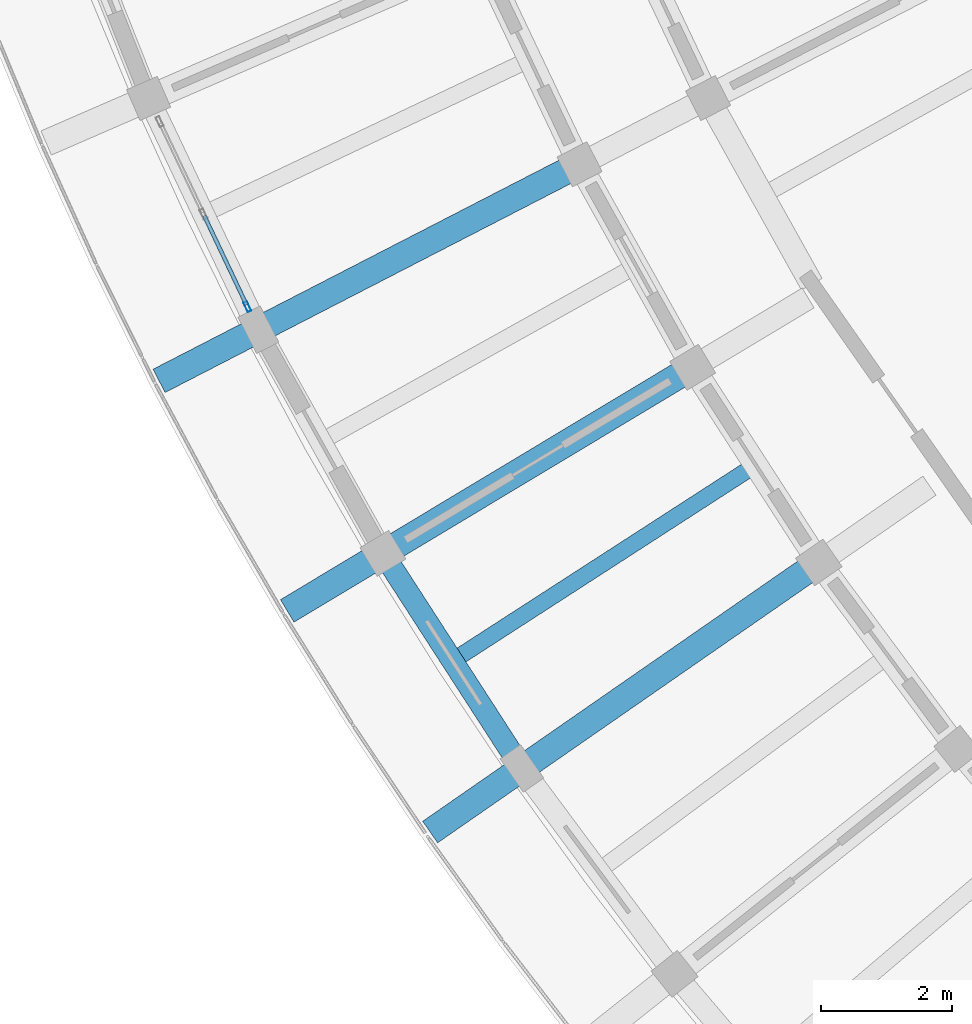
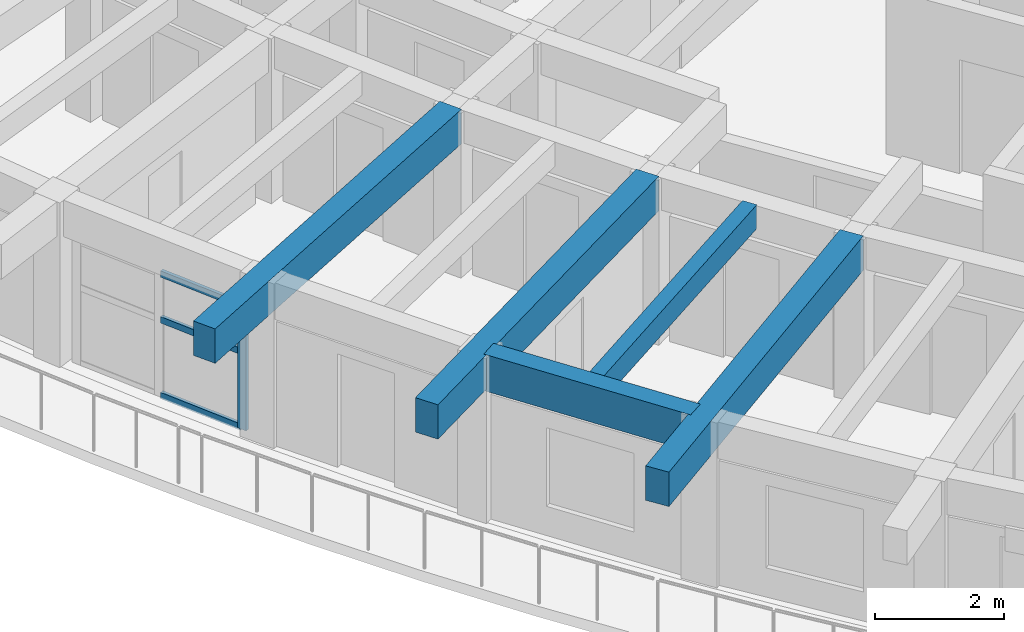
# One storey, part 4 of 83: 5 beams, 4 members, 1 element without a shape of its own.
"""IFC4 building model written with IfcOpenShell, lengths in metres."""

import ifcopenshell
import ifcopenshell.guid

model = None  # the IFC model being written
_history = None  # IfcOwnerHistory: only IFC2X3 demands one
_inside = {}  # id of a spatial element -> (the spatial element, [elements in it])
_under = {}  # id of a project, library or spatial element -> (it, [spatial elements below it])
_declared = {}  # id of a project -> (the project, [libraries it declares])
_typed = {}  # id of a type object -> (the type object, [elements of that type])
_made_of = {}  # id of a material, layer set ... -> (it, [elements and type objects made of it])


def new_model(schema):
    """Start an empty IFC model of exactly this schema.

    Asked for "IFC4X3", IfcOpenShell would pick the latest addendum, in which some entities
    have other attributes; the version numbers below select the first issue.
    IFC2X3 requires an IfcOwnerHistory on every rooted entity: one is made here for all.
    """
    global model, _history
    if schema == "IFC4X3":
        model = ifcopenshell.file(schema_version=(4, 3, 0, 0))
    else:
        model = ifcopenshell.file(schema=schema)
    _inside.clear()
    _under.clear()
    _declared.clear()
    _typed.clear()
    _made_of.clear()
    _history = None
    if model.schema == "IFC2X3":
        org = make("IfcOrganization", Name="unknown")
        user = make(
            "IfcPersonAndOrganization",
            ThePerson=make("IfcPerson", FamilyName="unknown"),
            TheOrganization=org,
        )
        app = make(
            "IfcApplication",
            ApplicationDeveloper=org,
            Version="unknown",
            ApplicationFullName="unknown",
            ApplicationIdentifier="unknown",
        )
        _history = make(
            "IfcOwnerHistory",
            OwningUser=user,
            OwningApplication=app,
            ChangeAction="ADDED",
            CreationDate=0,
        )
    return model


def make(cls, **values):
    """One entity of the class cls with the attributes given. An attribute that is None is left unset."""
    return model.create_entity(
        cls, **{name: value for name, value in values.items() if value is not None}
    )


def rooted(cls, **values):
    """An entity with a GlobalId (a new one), such as an element, a storey or a relation."""
    return make(cls, GlobalId=ifcopenshell.guid.new(), OwnerHistory=_history, **values)


def si_unit(unit_type, name, prefix=None):
    """IfcSIUnit, for example si_unit("LENGTHUNIT", "METRE", prefix="MILLI")."""
    return make("IfcSIUnit", UnitType=unit_type, Prefix=prefix, Name=name)


def assignment(units):
    """IfcUnitAssignment: the units of a project."""
    return None if units is None else make("IfcUnitAssignment", Units=units)


def point(xyz):
    """IfcCartesianPoint."""
    return None if xyz is None else make("IfcCartesianPoint", Coordinates=xyz)


def direction(xyz):
    """IfcDirection."""
    return None if xyz is None else make("IfcDirection", DirectionRatios=xyz)


def frame(location, z_axis=None, x_axis=None):
    """IfcAxis2Placement3D, a coordinate frame: its origin and axes. An axis left out is left unset."""
    return make(
        "IfcAxis2Placement3D",
        Location=point(location),
        Axis=direction(z_axis),
        RefDirection=direction(x_axis),
    )


def frame_2d(location, x_axis=None):
    """IfcAxis2Placement2D, a coordinate frame in the plane: its origin and x axis."""
    return make(
        "IfcAxis2Placement2D", Location=point(location), RefDirection=direction(x_axis)
    )


def origin():
    """The frame at (0, 0, 0) with its axes left unset."""
    return frame((0.0, 0.0, 0.0))


def origin_2d():
    """The frame at (0, 0) in the plane with its x axis left unset."""
    return frame_2d((0.0, 0.0))


def place(relative_to, where):
    """IfcLocalPlacement: puts the frame where relative to a parent placement (None: the world)."""
    return make(
        "IfcLocalPlacement", PlacementRelTo=relative_to, RelativePlacement=where
    )


def context(
    kind, dimensions, precision=None, world=None, true_north=None, identifier=None
):
    """IfcGeometricRepresentationContext, for example the 3D "Model" context."""
    return make(
        "IfcGeometricRepresentationContext",
        ContextIdentifier=identifier,
        ContextType=kind,
        CoordinateSpaceDimension=dimensions,
        Precision=precision,
        WorldCoordinateSystem=world,
        TrueNorth=true_north,
    )


def subcontext(parent, identifier, kind, view, scale=None):
    """IfcGeometricRepresentationSubContext, for example "Body" below "Model"."""
    return make(
        "IfcGeometricRepresentationSubContext",
        ContextIdentifier=identifier,
        ContextType=kind,
        ParentContext=parent,
        TargetScale=scale,
        TargetView=view,
    )


def project(units=None, contexts=None):
    """IfcProject with its units and contexts."""
    return rooted(
        "IfcProject",
        Name="project",
        RepresentationContexts=contexts,
        UnitsInContext=assignment(units),
    )


def spatial(cls, under=None, at=None, **own):
    """A site, building, storey or space (cls), placed at a placement, below another one or the project."""
    s = rooted(cls, ObjectPlacement=at, **own)
    if under is not None:
        _under.setdefault(under.id(), (under, []))[1].append(s)
    return s


def profile(cls, at=None, kind="AREA", **sizes):
    """A parametric profile (cls). Its sizes go by their IFC names, for example OverallWidth=200.0."""
    return make(cls, ProfileType=kind, Position=at, **sizes)


def rectangle(**sizes):
    """IfcRectangleProfileDef."""
    return profile("IfcRectangleProfileDef", **sizes)


def hollow_rectangle(**sizes):
    """IfcRectangleHollowProfileDef."""
    return profile("IfcRectangleHollowProfileDef", **sizes)


def extrude(swept, where, along, depth):
    """IfcExtrudedAreaSolid: the profile swept, set in the frame where, extruded along a direction by depth."""
    return make(
        "IfcExtrudedAreaSolid",
        SweptArea=swept,
        Position=where,
        ExtrudedDirection=direction(along),
        Depth=depth,
    )


def shape(context_of_items, identifier, shape_type, items):
    """IfcShapeRepresentation: the items that make up one representation, for example the "Body"."""
    return make(
        "IfcShapeRepresentation",
        ContextOfItems=context_of_items,
        RepresentationIdentifier=identifier,
        RepresentationType=shape_type,
        Items=items,
    )


def material(Name=None, Category=None):
    """IfcMaterial."""
    return make("IfcMaterial", Name=Name, Category=Category)


def material_profile(
    of_material, cross_section, Name=None, Category=None, Priority=None
):
    """IfcMaterialProfile: a cross section and its material."""
    return make(
        "IfcMaterialProfile",
        Name=Name,
        Material=of_material,
        Profile=cross_section,
        Priority=Priority,
        Category=Category,
    )


def profile_set(profiles, Name=None, composite=None):
    """IfcMaterialProfileSet."""
    return make(
        "IfcMaterialProfileSet",
        Name=Name,
        MaterialProfiles=profiles,
        CompositeProfile=composite,
    )


def made_of(thing, what):
    """Note that an element or type object is made of a material, layer set ...; save() writes the relation."""
    if what is not None:
        _made_of.setdefault(what.id(), (what, []))[1].append(thing)
    return thing


def type_object(cls, material=None, **own):
    """A type object (cls), such as IfcWallType, which elements share."""
    return made_of(rooted(cls, **own), material)


def element(
    cls,
    number,
    at=None,
    inside=None,
    cuts=None,
    type_object=None,
    material=None,
    context=None,
    identifier="Body",
    shape_type=None,
    held_by="IfcProductDefinitionShape",
    body=None,
    shapes=None,
    **own,
):
    """One element of the class cls, such as IfcWall. Its Tag is "e" and its number.

    at: its placement. inside: the storey or other place that contains it. cuts: it is an
    opening in that element (IfcRelVoidsElement). A single representation is given by context,
    identifier, shape_type and body (its items); several are given by shapes. held_by: the class
    of the entity that holds the representations. save() writes the other relations.
    """
    e = rooted(cls, Tag="e%d" % number, ObjectPlacement=at, **own)
    if body is not None:
        shapes = [shape(context, identifier, shape_type, body)]
    if shapes is not None:
        e.Representation = make(held_by, Representations=shapes)
    if inside is not None:
        _inside.setdefault(inside.id(), (inside, []))[1].append(e)
    if cuts is not None:
        rooted(
            "IfcRelVoidsElement", RelatingBuildingElement=cuts, RelatedOpeningElement=e
        )
    if type_object is not None:
        _typed.setdefault(type_object.id(), (type_object, []))[1].append(e)
    return made_of(e, material)


def aggregate(whole, parts):
    """IfcRelAggregates: a whole, such as a stair, and the parts it consists of."""
    return rooted("IfcRelAggregates", RelatingObject=whole, RelatedObjects=parts)


def save(model, path):
    """Write the relations noted so far, then the file.

    IfcRelAggregates (storeys below a building ...), IfcRelContainedInSpatialStructure (elements
    in a storey), IfcRelDefinesByType, IfcRelAssociatesMaterial and IfcRelDeclares: one each for
    every whole, place, type object, material and project.
    """
    for whole, parts in _under.values():
        aggregate(whole, parts)
    for where, things in _inside.values():
        rooted(
            "IfcRelContainedInSpatialStructure",
            RelatedElements=things,
            RelatingStructure=where,
        )
    for kind, things in _typed.values():
        rooted("IfcRelDefinesByType", RelatedObjects=things, RelatingType=kind)
    for what, things in _made_of.values():
        rooted("IfcRelAssociatesMaterial", RelatedObjects=things, RelatingMaterial=what)
    for by, libraries in _declared.values():
        rooted("IfcRelDeclares", RelatingContext=by, RelatedDefinitions=libraries)
    model.write(path)


model = new_model("IFC4")

# Units and contexts
model_context = context("Model", 3, precision=1e-05, world=origin(), true_north=direction((0.0, 1.0)))
body_context = subcontext(model_context, "Body", "Model", "MODEL_VIEW")
ifc_project = project(units=[si_unit("LENGTHUNIT", "METRE"), si_unit("AREAUNIT", "SQUARE_METRE"), si_unit("VOLUMEUNIT", "CUBIC_METRE"), si_unit("PLANEANGLEUNIT", "RADIAN"), si_unit("MASSUNIT", "GRAM", prefix="KILO")], contexts=[model_context])

# Site, building, storey
site_placement = place(None, origin())
site = spatial("IfcSite", under=ifc_project, at=site_placement, CompositionType="ELEMENT")
building_placement = place(site_placement, origin())
building = spatial("IfcBuilding", under=site, at=building_placement, Name="Tanwirah Colonnade Gardens", CompositionType="ELEMENT")
storey_placement = place(building_placement, frame((0.0, 0.0, 25.639892578125)))
storey = spatial("IfcBuildingStorey", under=building, at=storey_placement, Name="L07", CompositionType="ELEMENT", Elevation=25.639892578125)

# Beams
ifc_material_1 = material(Name="Precast concrete C45/55", Category="concrete")
ifc_material_profile_1 = material_profile(ifc_material_1, rectangle(XDim=0.39990234375, YDim=0.64990234375, at=origin_2d()), Name="PC-BM 400x650")
ifc_profile_set_1 = profile_set([ifc_material_profile_1], Name="Precast concrete C45/55")
beam_type_1 = type_object("IfcBeamType", Name="BM-PC400", PredefinedType="BEAM", material=ifc_profile_set_1)
for number, where, z_axis, x_axis, name in (
    (1, (16.815185546875, 39.683349609375, 2.78515625), (-0.889016420099, -0.457875315774, 0.0), (0.457875315774, -0.889016420099, 0.0), "Block C L07 Outer Radial Precast Girder 3"),
    (2, (18.54150390625, 36.5849609375, 2.78515625), (-0.857159687729, -0.515050744812, 0.0), (0.515050744812, -0.857159687729, 0.0), "Block C L07 Outer Radial Precast Girder 4"),
    (3, (20.466796875, 33.606201171875, 2.78515625), (-0.821647028495, -0.569996632066, 0.0), (0.569996632066, -0.821647028495, 0.0), "Block C L07 Outer Radial Precast Girder 5"),
):
    element("IfcBeam", number, at=place(storey_placement, frame(where, z_axis=z_axis, x_axis=x_axis)), inside=storey, type_object=beam_type_1, Name=name, PredefinedType="BEAM", context=body_context, shape_type="SweptSolid", body=[
        extrude(rectangle(XDim=0.39990234375, YDim=0.64990234375, at=origin_2d()), origin(), (0.0, 0.0, 1.0), 7.050048828125),
    ])

# Curtain wall, members
ifc_material_2 = material(Name="Bronze-anodised aluminium and solar-control low-E glass", Category="aluminium")
curtain_wall_type = type_object("IfcCurtainWallType", Name="CW-LOB", PredefinedType="NOTDEFINED", material=ifc_material_2)
curtain_wall_placement = place(storey_placement, origin())
curtain_wall = element("IfcCurtainWall", 4, at=curtain_wall_placement, inside=storey, type_object=curtain_wall_type, Name="Curtain Wall CW-C-L07-OUT-02", PredefinedType="NOTDEFINED")
ifc_material_3 = material(Name="Bronze-anodised aluminium", Category="aluminium")
ifc_material_profile_2 = material_profile(ifc_material_3, hollow_rectangle(XDim=0.06005859375, YDim=0.159912109375, WallThickness=0.00390625, at=origin_2d()), Name="CW-MUL 60x160x4")
ifc_profile_set_2 = profile_set([ifc_material_profile_2], Name="Bronze-anodised aluminium")
member_type_1 = type_object("IfcMemberType", Name="CWM-60x160", PredefinedType="MULLION", material=ifc_profile_set_2)
member_1_placement = place(storey_placement, frame((11.891845703125, 37.5859375, 0.0), z_axis=(0.0, 0.0, 1.0), x_axis=(0.903522749404, 0.428540128004, 0.0)))
member_1 = element("IfcMember", 5, at=member_1_placement, type_object=member_type_1, Name="CW-LOB mullion 3", PredefinedType="MULLION", context=body_context, shape_type="SweptSolid", body=[
    extrude(hollow_rectangle(XDim=0.06005859375, YDim=0.159912109375, WallThickness=0.00390625, at=origin_2d()), origin(), (0.0, 0.0, 1.0), 2.355224609375),
])
ifc_material_profile_3 = material_profile(ifc_material_3, hollow_rectangle(XDim=0.06005859375, YDim=0.1201171875, WallThickness=0.00390625, at=origin_2d()), Name="CW-TRN 60x120x4")
ifc_profile_set_3 = profile_set([ifc_material_profile_3], Name="Bronze-anodised aluminium")
member_type_2 = type_object("IfcMemberType", Name="CWT-60x120", PredefinedType="USERDEFINED", material=ifc_profile_set_3)
member_2_placement = place(storey_placement, frame((11.23681640625, 38.967041015625, 0.030029296875), z_axis=(0.42861148555, -0.903488901124, 0.0), x_axis=(0.903488901124, 0.42861148555, 0.0)))
member_2 = element("IfcMember", 6, at=member_2_placement, type_object=member_type_2, Name="CW-LOB transom 2.1", ObjectType="TRANSOM", PredefinedType="USERDEFINED", context=body_context, shape_type="SweptSolid", body=[
    extrude(hollow_rectangle(XDim=0.06005859375, YDim=0.1201171875, WallThickness=0.00390625, at=origin_2d()), origin(), (0.0, 0.0, 1.0), 1.49853515625),
])
member_3_placement = place(storey_placement, frame((11.23681640625, 38.967041015625, 1.460205078125), z_axis=(0.42861148555, -0.903488901124, 0.0), x_axis=(0.903488901124, 0.42861148555, 0.0)))
member_3 = element("IfcMember", 7, at=member_3_placement, type_object=member_type_2, Name="CW-LOB transom 2.2", ObjectType="TRANSOM", PredefinedType="USERDEFINED", context=body_context, shape_type="SweptSolid", body=[
    extrude(hollow_rectangle(XDim=0.06005859375, YDim=0.1201171875, WallThickness=0.00390625, at=origin_2d()), origin(), (0.0, 0.0, 1.0), 1.49853515625),
])
member_4_placement = place(storey_placement, frame((11.23681640625, 38.967041015625, 2.3251953125), z_axis=(0.42861148555, -0.903488901124, 0.0), x_axis=(0.903488901124, 0.42861148555, 0.0)))
member_4 = element("IfcMember", 8, at=member_4_placement, type_object=member_type_2, Name="CW-LOB transom 2.3", ObjectType="TRANSOM", PredefinedType="USERDEFINED", context=body_context, shape_type="SweptSolid", body=[
    extrude(hollow_rectangle(XDim=0.06005859375, YDim=0.1201171875, WallThickness=0.00390625, at=origin_2d()), origin(), (0.0, 0.0, 1.0), 1.49853515625),
])
aggregate(curtain_wall, [member_1, member_2, member_3, member_4])

# Beams
ifc_material_4 = material(Name="Precast concrete C40/50", Category="concrete")
ifc_material_profile_4 = material_profile(ifc_material_4, rectangle(XDim=0.25, YDim=0.449951171875, at=origin_2d()), Name="PC-JST 250x450")
ifc_profile_set_4 = profile_set([ifc_material_profile_4], Name="Precast concrete C40/50")
beam_type_2 = type_object("IfcBeamType", Name="JST-PC250", PredefinedType="JOIST", material=ifc_profile_set_4)
beam_1_placement = place(storey_placement, frame((19.5048828125, 35.09619140625, 2.885009765625), z_axis=(-0.839842770955, -0.542829733963, 0.0), x_axis=(0.542829733963, -0.839842770955, 0.0)))
element("IfcBeam", 9, at=beam_1_placement, inside=storey, type_object=beam_type_2, Name="Block C L07 Precast Floor Joist 4", PredefinedType="JOIST", context=body_context, shape_type="SweptSolid", body=[
    extrude(rectangle(XDim=0.25, YDim=0.449951171875, at=origin_2d()), origin(), (0.0, 0.0, 1.0), 5.260009765625),
])
ifc_material_profile_5 = material_profile(ifc_material_4, rectangle(XDim=0.330078125, YDim=0.68994140625, at=origin_2d()), Name="PC-SP 330x690")
ifc_profile_set_5 = profile_set([ifc_material_profile_5], Name="Precast concrete C40/50")
beam_type_3 = type_object("IfcBeamType", Name="SP-PC280", PredefinedType="SPANDREL", material=ifc_profile_set_5)
beam_2_placement = place(storey_placement, frame((14.037109375, 33.70361328125, 2.76513671875), z_axis=(0.542786838894, -0.839870494495, 0.0), x_axis=(0.839870494495, 0.542786838894, 0.0)))
element("IfcBeam", 10, at=beam_2_placement, inside=storey, type_object=beam_type_3, Name="Block C L07 Circumferential Beam 4-R3", PredefinedType="SPANDREL", context=body_context, shape_type="SweptSolid", body=[
    extrude(rectangle(XDim=0.330078125, YDim=0.68994140625, at=origin_2d()), origin(), (0.0, 0.0, 1.0), 3.596923828125),
])

save(model, "model.ifc")
